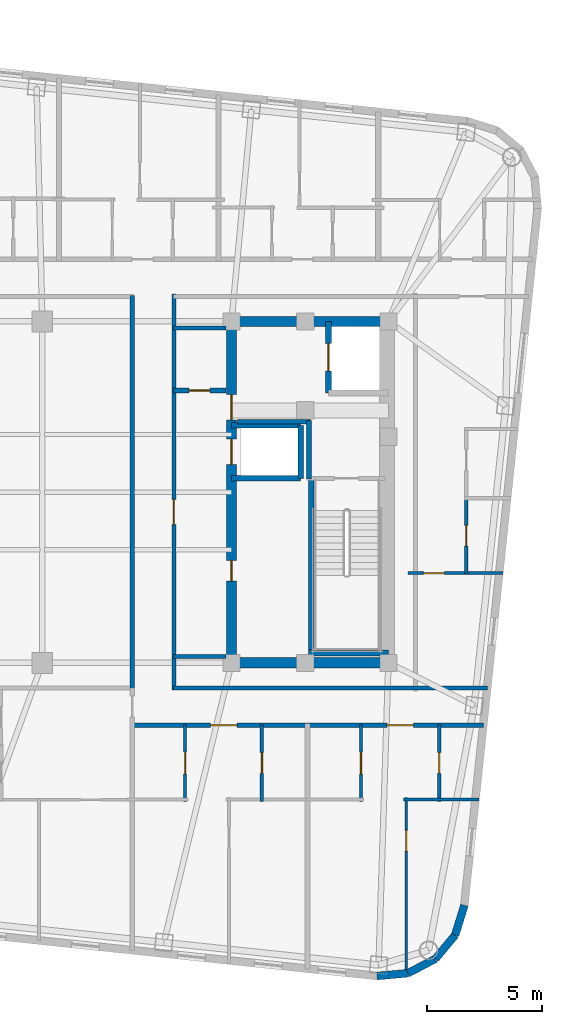
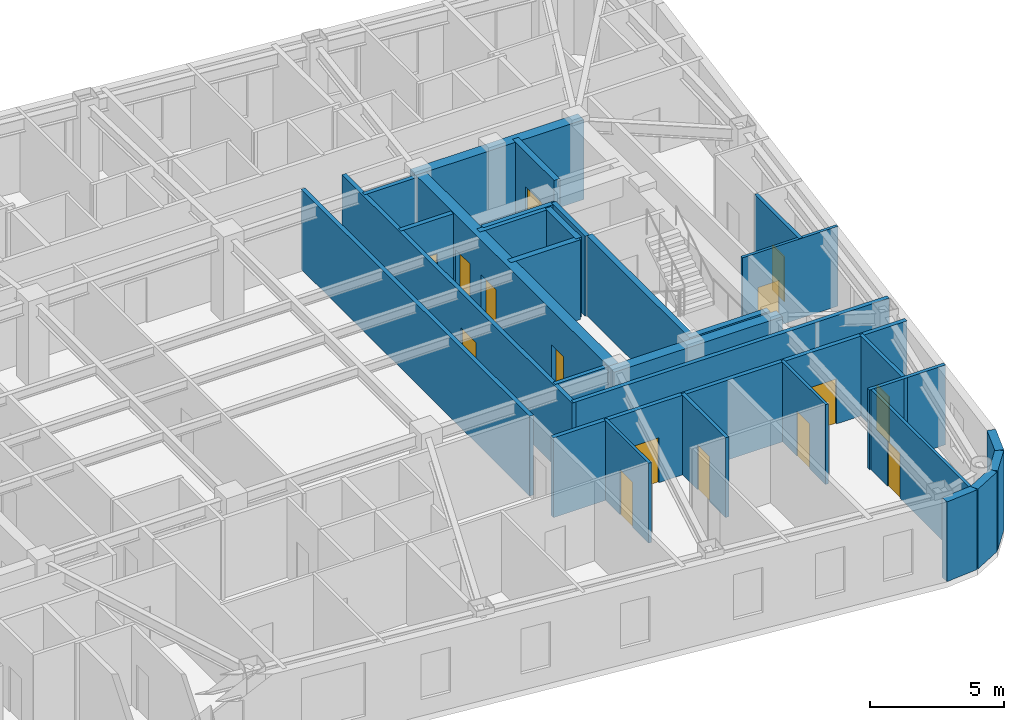
# One storey, part 6 of 11: 30 walls, 15 doors, 15 openings.
"""IFC4 building model written with IfcOpenShell, lengths in metres."""

from ifc_helpers import new_model, si_unit, direction, frame, frame_2d, origin, place, context, subcontext, project, spatial, rectangle, extrude, material, layer, layer_set, type_object, element, fill, save


model = new_model("IFC4")

# Units and contexts
model_context = context("Model", 3, precision=1e-05, world=origin(), true_north=direction((0.0, 1.0)))
body_context = subcontext(model_context, "Body", "Model", "MODEL_VIEW")
ifc_project = project(units=[si_unit("LENGTHUNIT", "METRE"), si_unit("AREAUNIT", "SQUARE_METRE"), si_unit("VOLUMEUNIT", "CUBIC_METRE"), si_unit("PLANEANGLEUNIT", "RADIAN"), si_unit("MASSUNIT", "GRAM", prefix="KILO")], contexts=[model_context])

# Site, building, storey
site_placement = place(None, origin())
site = spatial("IfcSite", under=ifc_project, at=site_placement, CompositionType="ELEMENT")
building_placement = place(site_placement, origin())
building = spatial("IfcBuilding", under=site, at=building_placement, Name="Voryun Gate Residences", CompositionType="ELEMENT")
storey_placement = place(building_placement, frame((0.0, 0.0, 299.0)))
storey = spatial("IfcBuildingStorey", under=building, at=storey_placement, Name="L74", CompositionType="ELEMENT", Elevation=299.0)

# Walls
ifc_material_1 = material(Name="Concrete C50/60", Category="concrete")
ifc_layer_1 = layer(ifc_material_1, 0.449951171875, Name="CW_CORE_450")
ifc_layer_set_1 = layer_set([ifc_layer_1], Name="Concrete C50/60")
wall_type_1 = type_object("IfcWallType", Name="CW_CORE_450", PredefinedType="SHEAR", material=ifc_layer_set_1)
for number, where, z_axis, x_axis, name in (
    (1, (12.175048828125, -7.39990234375, 0.0), (0.0, 0.0, 1.0), (1.0, 0.0, 0.0), "L74 Core shear wall CW-L74-ES"),
    (2, (12.175048828125, 7.39990234375, 0.0), (0.0, 0.0, 1.0), (1.0, 0.0, 0.0), "L74 Core shear wall CW-L74-EN"),
):
    element("IfcWall", number, at=place(storey_placement, frame(where, z_axis=z_axis, x_axis=x_axis)), inside=storey, type_object=wall_type_1, Name=name, PredefinedType="SHEAR", context=body_context, shape_type="SweptSolid", body=[
        extrude(rectangle(XDim=7.25, YDim=0.449951171875, at=frame_2d((3.625, 0.0))), origin(), (0.0, 0.0, 1.0), 3.635009765625),
    ])

# Wall, openings, doors
wall_1_placement = place(storey_placement, frame((12.39990234375, -7.39990234375, 0.0), z_axis=(0.0, 0.0, 1.0), x_axis=(0.0, 1.0, 0.0)))
wall_1 = element("IfcWall", 3, at=wall_1_placement, inside=storey, type_object=wall_type_1, Name="L74 Core shear wall CW-L74-EW", PredefinedType="SHEAR", context=body_context, shape_type="SweptSolid", body=[
    extrude(rectangle(XDim=14.7998046875, YDim=0.449951171875, at=frame_2d((7.39990234375, 0.0))), origin(), (0.0, 0.0, 1.0), 3.635009765625),
])
opening_1_placement = place(wall_1_placement, frame((8.60009765625, 0.0, 0.0)))
opening_1 = element("IfcOpeningElement", 4, at=opening_1_placement, cuts=wall_1, Name="Opening LD2", PredefinedType="OPENING", context=body_context, shape_type="SweptSolid", body=[
    extrude(rectangle(XDim=1.10009765625, YDim=2.050048828125, at=frame_2d((0.550048828125, 1.02490234375))), frame((0.0, 0.235107421875, 0.0), z_axis=(0.0, -1.0, 0.0), x_axis=(1.0, 0.0, 0.0)), (0.0, 0.0, 1.0), 0.469970703125),
])
opening_2_placement = place(wall_1_placement, frame((10.530029296875, 0.0, 0.0)))
opening_2 = element("IfcOpeningElement", 5, at=opening_2_placement, cuts=wall_1, Name="Opening D-FD60-2", PredefinedType="OPENING", context=body_context, shape_type="SweptSolid", body=[
    extrude(rectangle(XDim=1.10009765625, YDim=2.050048828125, at=frame_2d((0.550048828125, 1.02490234375))), frame((0.0, 0.235107421875, 0.0), z_axis=(0.0, -1.0, 0.0), x_axis=(1.0, 0.0, 0.0)), (0.0, 0.0, 1.0), 0.469970703125),
])
opening_3_placement = place(wall_1_placement, frame((3.550048828125, 0.0, 0.0)))
opening_3 = element("IfcOpeningElement", 6, at=opening_3_placement, cuts=wall_1, Name="Opening D-FD60-4", PredefinedType="OPENING", context=body_context, shape_type="SweptSolid", body=[
    extrude(rectangle(XDim=0.89990234375, YDim=2.050048828125, at=frame_2d((0.449951171875, 1.02490234375))), frame((0.0, 0.235107421875, 0.0), z_axis=(0.0, -1.0, 0.0), x_axis=(1.0, 0.0, 0.0)), (0.0, 0.0, 1.0), 0.469970703125),
])
ifc_material_2 = material(Name="Painted steel fire door", Category="steel")
door_type_1 = type_object("IfcDoorType", Name="DR_FD60_FFLOB_1100", OperationType="NOTDEFINED", PredefinedType="DOOR", material=ifc_material_2)
door_1_placement = place(opening_2_placement, origin())
door_1 = element("IfcDoor", 7, at=door_1_placement, inside=storey, type_object=door_type_1, Name="Door DR-L74-CLOB-E", OperationType="SINGLE_SWING_RIGHT", OverallHeight=2.050048828125, OverallWidth=1.10009765625, PredefinedType="DOOR", context=body_context, shape_type="SweptSolid", body=[
    extrude(rectangle(XDim=1.10009765625, YDim=2.050048828125, at=frame_2d((0.550048828125, 1.02490234375))), frame((0.0, 0.02490234375, 0.0), z_axis=(0.0, -1.0, 0.0), x_axis=(1.0, 0.0, 0.0)), (0.0, 0.0, 1.0), 0.050048828125),
])
fill(opening_2, door_1)
ifc_material_3 = material(Name="Painted steel fire door", Category="steel")
door_type_2 = type_object("IfcDoorType", Name="DR_FD60_RISER_900", OperationType="NOTDEFINED", PredefinedType="DOOR", material=ifc_material_3)
door_2_placement = place(opening_3_placement, origin())
door_2 = element("IfcDoor", 8, at=door_2_placement, inside=storey, type_object=door_type_2, Name="Door DR-L74-RECE-HI", OperationType="SINGLE_SWING_RIGHT", OverallHeight=2.050048828125, OverallWidth=0.89990234375, PredefinedType="DOOR", context=body_context, shape_type="SweptSolid", body=[
    extrude(rectangle(XDim=0.89990234375, YDim=2.050048828125, at=frame_2d((0.449951171875, 1.02490234375))), frame((0.0, 0.02490234375, 0.0), z_axis=(0.0, -1.0, 0.0), x_axis=(1.0, 0.0, 0.0)), (0.0, 0.0, 1.0), 0.050048828125),
])
fill(opening_3, door_2)
ifc_material_4 = material(Name="Anodised aluminium", Category="aluminium")
door_type_3 = type_object("IfcDoorType", Name="DR_LD_PASS_1100", OperationType="NOTDEFINED", PredefinedType="DOOR", material=ifc_material_4)
door_3_placement = place(opening_1_placement, origin())
door_3 = element("IfcDoor", 9, at=door_3_placement, inside=storey, type_object=door_type_3, Name="Lift EL-P8 sliding landing door L74", OperationType="SLIDING_TO_LEFT", OverallHeight=2.050048828125, OverallWidth=1.10009765625, PredefinedType="DOOR", context=body_context, shape_type="SweptSolid", body=[
    extrude(rectangle(XDim=1.10009765625, YDim=2.050048828125, at=frame_2d((0.550048828125, 1.02490234375))), frame((0.0, 0.02490234375, 0.0), z_axis=(0.0, -1.0, 0.0), x_axis=(1.0, 0.0, 0.0)), (0.0, 0.0, 1.0), 0.050048828125),
])
fill(opening_1, door_3)

# Walls
ifc_material_5 = material(Name="Gypsum acoustic fireboard")
ifc_layer_2 = layer(ifc_material_5, 0.179931640625, Name="W_CORR_RATED_180")
ifc_layer_set_2 = layer_set([ifc_layer_2], Name="Gypsum acoustic fireboard")
wall_type_2 = type_object("IfcWallType", Name="W_CORR_RATED_180", PredefinedType="PARTITIONING", material=ifc_layer_set_2)
for number, where, z_axis, x_axis, name in (
    (10, (9.8798828125, 7.1201171875, 0.0), (0.0, 0.0, 1.0), (1.0, 0.0, 0.0), "Partition wall WP-L74-PLBN-E"),
    (11, (9.8798828125, -7.1201171875, 0.0), (0.0, 0.0, 1.0), (1.0, 0.0, 0.0), "Partition wall WP-L74-PLBS-E"),
):
    element("IfcWall", number, at=place(storey_placement, frame(where, z_axis=z_axis, x_axis=x_axis)), inside=storey, type_object=wall_type_2, Name=name, PredefinedType="PARTITIONING", context=body_context, shape_type="SweptSolid", body=[
        extrude(rectangle(XDim=2.27001953125, YDim=0.179931640625, at=frame_2d((1.135009765625, 0.0))), origin(), (0.0, 0.0, 1.0), 3.635009765625),
    ])

# Wall, opening, door
wall_2_placement = place(storey_placement, frame((9.89990234375, -8.580078125, 0.0), z_axis=(0.0, 0.0, 1.0), x_axis=(0.0, 1.0, 0.0)))
wall_2 = element("IfcWall", 12, at=wall_2_placement, inside=storey, type_object=wall_type_2, Name="Partition wall WP-L74-PLBE-FULL", PredefinedType="PARTITIONING", context=body_context, shape_type="SweptSolid", body=[
    extrude(rectangle(XDim=17.16015625, YDim=0.179931640625, at=frame_2d((8.580078125, 0.0))), origin(), (0.0, 0.0, 1.0), 3.635009765625),
])
opening_4_placement = place(wall_2_placement, frame((7.172119140625, 0.0, 0.0)))
opening_4 = element("IfcOpeningElement", 13, at=opening_4_placement, cuts=wall_2, Name="Opening D-FD60-2", PredefinedType="OPENING", context=body_context, shape_type="SweptSolid", body=[
    extrude(rectangle(XDim=1.10009765625, YDim=2.050048828125, at=frame_2d((0.550048828125, 1.02490234375))), frame((0.0, 0.099853515625, 0.0), z_axis=(0.0, -1.0, 0.0), x_axis=(1.0, 0.0, 0.0)), (0.0, 0.0, 1.0), 0.199951171875),
])
door_4_placement = place(opening_4_placement, origin())
door_4 = element("IfcDoor", 14, at=door_4_placement, inside=storey, type_object=door_type_1, Name="Door DR-L74-PLBE-COR", OperationType="SINGLE_SWING_RIGHT", OverallHeight=2.050048828125, OverallWidth=1.10009765625, PredefinedType="DOOR", context=body_context, shape_type="SweptSolid", body=[
    extrude(rectangle(XDim=1.10009765625, YDim=2.050048828125, at=frame_2d((0.550048828125, 1.02490234375))), frame((0.0, 0.02490234375, 0.0), z_axis=(0.0, -1.0, 0.0), x_axis=(1.0, 0.0, 0.0)), (0.0, 0.0, 1.0), 0.050048828125),
])
fill(opening_4, door_4)

# Walls
wall_3_placement = place(storey_placement, frame((9.8798828125, -8.489990234375, 0.0), z_axis=(0.0, 0.0, 1.0), x_axis=(1.0, 0.0, 0.0)))
element("IfcWall", 15, at=wall_3_placement, inside=storey, type_object=wall_type_2, Name="Partition wall WP-L74-CWING-ES", PredefinedType="PARTITIONING", context=body_context, shape_type="SweptSolid", body=[
    extrude(rectangle(XDim=13.605712890625, YDim=0.179931640625, at=frame_2d((6.802734375, 0.0))), origin(), (0.0, 0.0, 1.0), 3.635009765625),
])
wall_4_placement = place(storey_placement, frame((8.10009765625, -8.530029296875, 0.0), z_axis=(0.0, 0.0, 1.0), x_axis=(0.0, 1.0, 0.0)))
element("IfcWall", 16, at=wall_4_placement, inside=storey, type_object=wall_type_2, Name="Partition wall WP-L74-Z3E", PredefinedType="PARTITIONING", context=body_context, shape_type="SweptSolid", body=[
    extrude(rectangle(XDim=17.06005859375, YDim=0.179931640625, at=frame_2d((8.530029296875, 0.0))), origin(), (0.0, 0.0, 1.0), 3.635009765625),
])

# Wall, openings, doors
wall_5_placement = place(storey_placement, frame((8.080078125, -10.10009765625, 0.0), z_axis=(0.0, 0.0, 1.0), x_axis=(1.0, 0.0, 0.0)))
wall_5 = element("IfcWall", 17, at=wall_5_placement, inside=storey, type_object=wall_type_2, Name="Partition wall WP-L74-SCORR-E", PredefinedType="PARTITIONING", context=body_context, shape_type="SweptSolid", body=[
    extrude(rectangle(XDim=15.236083984375, YDim=0.179931640625, at=frame_2d((7.6181640625, 0.0))), origin(), (0.0, 0.0, 1.0), 3.635009765625),
])
opening_5_placement = place(wall_5_placement, frame((3.400146484375, 0.0, 0.0)))
opening_5 = element("IfcOpeningElement", 18, at=opening_5_placement, cuts=wall_5, Name="Opening D-UNIT-1", PredefinedType="OPENING", context=body_context, shape_type="SweptSolid", body=[
    extrude(rectangle(XDim=1.14990234375, YDim=2.050048828125, at=frame_2d((0.574951171875, 1.02490234375))), frame((0.0, 0.099853515625, 0.0), z_axis=(0.0, -1.0, 0.0), x_axis=(1.0, 0.0, 0.0)), (0.0, 0.0, 1.0), 0.199951171875),
])
opening_6_placement = place(wall_5_placement, frame((11.05029296875, 0.0, 0.0)))
opening_6 = element("IfcOpeningElement", 19, at=opening_6_placement, cuts=wall_5, Name="Opening D-UNIT-1", PredefinedType="OPENING", context=body_context, shape_type="SweptSolid", body=[
    extrude(rectangle(XDim=1.14990234375, YDim=2.050048828125, at=frame_2d((0.574951171875, 1.02490234375))), frame((0.0, 0.099853515625, 0.0), z_axis=(0.0, -1.0, 0.0), x_axis=(1.0, 0.0, 0.0)), (0.0, 0.0, 1.0), 0.199951171875),
])
ifc_material_6 = material(Name="Armoured timber-clad fire door", Category="wood")
door_type_4 = type_object("IfcDoorType", Name="DR_UNIT_ENTRY_1150", OperationType="NOTDEFINED", PredefinedType="DOOR", material=ifc_material_6)
door_5_placement = place(opening_5_placement, origin())
door_5 = element("IfcDoor", 20, at=door_5_placement, inside=storey, type_object=door_type_4, Name="Door DR-L74-SENT-6", OperationType="SINGLE_SWING_LEFT", OverallHeight=2.050048828125, OverallWidth=1.14990234375, PredefinedType="DOOR", context=body_context, shape_type="SweptSolid", body=[
    extrude(rectangle(XDim=1.14990234375, YDim=2.050048828125, at=frame_2d((0.574951171875, 1.02490234375))), frame((0.0, 0.02490234375, 0.0), z_axis=(0.0, -1.0, 0.0), x_axis=(1.0, 0.0, 0.0)), (0.0, 0.0, 1.0), 0.050048828125),
])
fill(opening_5, door_5)
door_6_placement = place(opening_6_placement, origin())
door_6 = element("IfcDoor", 21, at=door_6_placement, inside=storey, type_object=door_type_4, Name="Door DR-L74-SENT-7", OperationType="SINGLE_SWING_RIGHT", OverallHeight=2.050048828125, OverallWidth=1.14990234375, PredefinedType="DOOR", context=body_context, shape_type="SweptSolid", body=[
    extrude(rectangle(XDim=1.14990234375, YDim=2.050048828125, at=frame_2d((0.574951171875, 1.02490234375))), frame((0.0, 0.02490234375, 0.0), z_axis=(0.0, -1.0, 0.0), x_axis=(1.0, 0.0, 0.0)), (0.0, 0.0, 1.0), 0.050048828125),
])
fill(opening_6, door_6)

# Walls
ifc_material_7 = material(Name="Charcoal terracotta masonry", Category="masonry")
ifc_layer_3 = layer(ifc_material_7, 0.340087890625, Name="W_EXT_TERRACOTTA_340")
ifc_layer_set_3 = layer_set([ifc_layer_3], Name="Charcoal terracotta masonry")
wall_type_3 = type_object("IfcWallType", Name="W_EXT_TERRACOTTA_340", PredefinedType="ELEMENTEDWALL", material=ifc_layer_set_3)
wall_6_placement = place(storey_placement, frame((22.495849609375, -17.904541015625, 0.0), z_axis=(0.0, 0.0, 1.0), x_axis=(-0.296416228123, -0.955058856671, 0.0)))
element("IfcWall", 22, at=wall_6_placement, inside=storey, type_object=wall_type_3, Name="Exterior wall WEXT-L74-17", PredefinedType="ELEMENTEDWALL", context=body_context, shape_type="SweptSolid", body=[
    extrude(rectangle(XDim=1.35400390625, YDim=0.340087890625, at=frame_2d((0.677001953125, 0.0))), origin(), (0.0, 0.0, 1.0), 3.635009765625),
])
wall_7_placement = place(storey_placement, frame((22.094482421875, -19.19775390625, 0.0), z_axis=(0.0, 0.0, 1.0), x_axis=(-0.639501603217, -0.768789762863, 0.0)))
element("IfcWall", 23, at=wall_7_placement, inside=storey, type_object=wall_type_3, Name="Exterior wall WEXT-L74-18", PredefinedType="ELEMENTEDWALL", context=body_context, shape_type="SweptSolid", body=[
    extrude(rectangle(XDim=1.3369140625, YDim=0.340087890625, at=frame_2d((0.66845703125, 0.0))), origin(), (0.0, 0.0, 1.0), 3.635009765625),
])
wall_8_placement = place(storey_placement, frame((21.239501953125, -20.2255859375, 0.0), z_axis=(0.0, 0.0, 1.0), x_axis=(-0.884922182678, -0.465738908193, 0.0)))
element("IfcWall", 24, at=wall_8_placement, inside=storey, type_object=wall_type_3, Name="Exterior wall WEXT-L74-19", PredefinedType="ELEMENTEDWALL", context=body_context, shape_type="SweptSolid", body=[
    extrude(rectangle(XDim=1.337158203125, YDim=0.340087890625, at=frame_2d((0.66845703125, 0.0))), origin(), (0.0, 0.0, 1.0), 3.635009765625),
])
wall_9_placement = place(storey_placement, frame((20.05615234375, -20.848388671875, 0.0), z_axis=(0.0, 0.0, 1.0), x_axis=(-0.995813013343, -0.091413579172, 0.0)))
element("IfcWall", 25, at=wall_9_placement, inside=storey, type_object=wall_type_3, Name="Exterior wall WEXT-L74-20", PredefinedType="ELEMENTEDWALL", context=body_context, shape_type="SweptSolid", body=[
    extrude(rectangle(XDim=1.35400390625, YDim=0.340087890625, at=frame_2d((0.677001953125, 0.0))), origin(), (0.0, 0.0, 1.0), 3.635009765625),
])
ifc_material_8 = material(Name="Concrete C40/50", Category="concrete")
ifc_layer_4 = layer(ifc_material_8, 0.199951171875, Name="W_FF_LOBBY_200")
ifc_layer_set_4 = layer_set([ifc_layer_4], Name="Concrete C40/50")
wall_type_4 = type_object("IfcWallType", Name="W_FF_LOBBY_200", PredefinedType="PARTITIONING", material=ifc_layer_set_4)
wall_10_placement = place(storey_placement, frame((15.760009765625, 0.580078125, 0.0), z_axis=(0.0, 0.0, 1.0), x_axis=(0.0, 1.0, 0.0)))
element("IfcWall", 26, at=wall_10_placement, inside=storey, type_object=wall_type_4, Name="Partition wall WP-L74-FFP0-E", PredefinedType="PARTITIONING", context=body_context, shape_type="SweptSolid", body=[
    extrude(rectangle(XDim=2.52001953125, YDim=0.199951171875, at=frame_2d((1.260009765625, 0.0))), origin(), (0.0, 0.0, 1.0), 3.635009765625),
])
wall_11_placement = place(storey_placement, frame((12.659912109375, 3.06005859375, 0.0), z_axis=(0.0, 0.0, 1.0), x_axis=(1.0, 0.0, 0.0)))
element("IfcWall", 27, at=wall_11_placement, inside=storey, type_object=wall_type_4, Name="Partition wall WP-L74-FFPS-E", PredefinedType="PARTITIONING", context=body_context, shape_type="SweptSolid", body=[
    extrude(rectangle(XDim=3.16015625, YDim=0.199951171875, at=frame_2d((1.580078125, 0.0))), origin(), (0.0, 0.0, 1.0), 3.635009765625),
])

# Wall, opening, door
wall_12_placement = place(storey_placement, frame((9.8798828125, 4.409912109375, 0.0), z_axis=(0.0, 0.0, 1.0), x_axis=(1.0, 0.0, 0.0)))
wall_12 = element("IfcWall", 28, at=wall_12_placement, inside=storey, type_object=wall_type_4, Name="Partition wall WP-L74-CSFLKS-E", PredefinedType="PARTITIONING", context=body_context, shape_type="SweptSolid", body=[
    extrude(rectangle(XDim=2.27001953125, YDim=0.199951171875, at=frame_2d((1.135009765625, 0.0))), origin(), (0.0, 0.0, 1.0), 3.635009765625),
])
opening_7_placement = place(wall_12_placement, frame((0.68505859375, 0.0, 0.0)))
opening_7 = element("IfcOpeningElement", 29, at=opening_7_placement, cuts=wall_12, Name="Opening D-FD60-4", PredefinedType="OPENING", context=body_context, shape_type="SweptSolid", body=[
    extrude(rectangle(XDim=0.89990234375, YDim=2.050048828125, at=frame_2d((0.449951171875, 1.02490234375))), frame((0.0, 0.110107421875, 0.0), z_axis=(0.0, -1.0, 0.0), x_axis=(1.0, 0.0, 0.0)), (0.0, 0.0, 1.0), 0.219970703125),
])
door_7_placement = place(opening_7_placement, origin())
door_7 = element("IfcDoor", 30, at=door_7_placement, inside=storey, type_object=door_type_2, Name="Door DR-L74-CSFLK-E", OperationType="SINGLE_SWING_RIGHT", OverallHeight=2.050048828125, OverallWidth=0.89990234375, PredefinedType="DOOR", context=body_context, shape_type="SweptSolid", body=[
    extrude(rectangle(XDim=0.89990234375, YDim=2.050048828125, at=frame_2d((0.449951171875, 1.02490234375))), frame((0.0, 0.02490234375, 0.0), z_axis=(0.0, -1.0, 0.0), x_axis=(1.0, 0.0, 0.0)), (0.0, 0.0, 1.0), 0.050048828125),
])
fill(opening_7, door_7)

# Walls
ifc_material_9 = material(Name="Concrete C50/60", Category="concrete")
ifc_layer_5 = layer(ifc_material_9, 0.25, Name="W_SHAFT_RC250")
ifc_layer_set_5 = layer_set([ifc_layer_5], Name="Concrete C50/60")
wall_type_5 = type_object("IfcWallType", Name="W_SHAFT_RC250", PredefinedType="SOLIDWALL", material=ifc_layer_set_5)
wall_13_placement = place(storey_placement, frame((15.860107421875, -7.0849609375, 0.0), z_axis=(0.0, 0.0, 1.0), x_axis=(0.0, 1.0, 0.0)))
element("IfcWall", 31, at=wall_13_placement, inside=storey, type_object=wall_type_5, Name="L74 Stair shaft structural wall E-STL", PredefinedType="SOLIDWALL", context=body_context, shape_type="SweptSolid", body=[
    extrude(rectangle(XDim=7.68505859375, YDim=0.25, at=frame_2d((3.842529296875, 0.0))), origin(), (0.0, 0.0, 1.0), 3.635009765625),
])
wall_14_placement = place(storey_placement, frame((15.739990234375, -6.965087890625, 0.0), z_axis=(0.0, 0.0, 1.0), x_axis=(1.0, 0.0, 0.0)))
element("IfcWall", 32, at=wall_14_placement, inside=storey, type_object=wall_type_5, Name="L74 Stair shaft structural wall E-STS", PredefinedType="SOLIDWALL", context=body_context, shape_type="SweptSolid", body=[
    extrude(rectangle(XDim=3.4599609375, YDim=0.25, at=frame_2d((1.72998046875, 0.0))), origin(), (0.0, 0.0, 1.0), 3.635009765625),
])

# Wall, opening, door
wall_15_placement = place(storey_placement, frame((16.60009765625, 7.39990234375, 0.0), z_axis=(0.0, 0.0, 1.0), x_axis=(0.0, -1.0, 0.0)))
wall_15 = element("IfcWall", 33, at=wall_15_placement, inside=storey, type_object=wall_type_5, Name="Lift shaft wall WSH-L74-EL-FF-E1-W", PredefinedType="SOLIDWALL", context=body_context, shape_type="SweptSolid", body=[
    extrude(rectangle(XDim=3.099853515625, YDim=0.25, at=frame_2d((1.5498046875, 0.0))), origin(), (0.0, 0.0, 1.0), 3.635009765625),
])
opening_8_placement = place(wall_15_placement, frame((0.949951171875, 0.0, 0.0)))
opening_8 = element("IfcOpeningElement", 34, at=opening_8_placement, cuts=wall_15, Name="Opening LD1", PredefinedType="OPENING", context=body_context, shape_type="SweptSolid", body=[
    extrude(rectangle(XDim=1.199951171875, YDim=2.050048828125, at=frame_2d((0.60009765625, 1.02490234375))), frame((0.0, 0.135009765625, 0.0), z_axis=(0.0, -1.0, 0.0), x_axis=(1.0, 0.0, 0.0)), (0.0, 0.0, 1.0), 0.27001953125),
])
ifc_material_10 = material(Name="Anodised aluminium", Category="aluminium")
door_type_5 = type_object("IfcDoorType", Name="DR_LD_FF_1200", OperationType="NOTDEFINED", PredefinedType="DOOR", material=ifc_material_10)
door_8_placement = place(opening_8_placement, origin())
door_8 = element("IfcDoor", 35, at=door_8_placement, inside=storey, type_object=door_type_5, Name="Lift EL-FF-E1 sliding landing door L74", OperationType="SLIDING_TO_LEFT", OverallHeight=2.050048828125, OverallWidth=1.199951171875, PredefinedType="DOOR", context=body_context, shape_type="SweptSolid", body=[
    extrude(rectangle(XDim=1.199951171875, YDim=2.050048828125, at=frame_2d((0.60009765625, 1.02490234375))), frame((0.0, 0.02490234375, 0.0), z_axis=(0.0, -1.0, 0.0), x_axis=(1.0, 0.0, 0.0)), (0.0, 0.0, 1.0), 0.050048828125),
])
fill(opening_8, door_8)

# Walls
wall_16_placement = place(storey_placement, frame((12.39990234375, 0.60009765625, 0.0), z_axis=(0.0, 0.0, 1.0), x_axis=(1.0, 0.0, 0.0)))
element("IfcWall", 36, at=wall_16_placement, inside=storey, type_object=wall_type_5, Name="Lift shaft wall WSH-L74-EL-P8-S", PredefinedType="SOLIDWALL", context=body_context, shape_type="SweptSolid", body=[
    extrude(rectangle(XDim=3.0, YDim=0.25, at=frame_2d((1.5, 0.0))), origin(), (0.0, 0.0, 1.0), 3.635009765625),
])
wall_17_placement = place(storey_placement, frame((15.39990234375, 0.60009765625, 0.0), z_axis=(0.0, 0.0, 1.0), x_axis=(0.0, 1.0, 0.0)))
element("IfcWall", 37, at=wall_17_placement, inside=storey, type_object=wall_type_5, Name="Lift shaft wall WSH-L74-EL-P8-E", PredefinedType="SOLIDWALL", context=body_context, shape_type="SweptSolid", body=[
    extrude(rectangle(XDim=2.2998046875, YDim=0.25, at=frame_2d((1.14990234375, 0.0))), origin(), (0.0, 0.0, 1.0), 3.635009765625),
])
wall_18_placement = place(storey_placement, frame((15.39990234375, 2.89990234375, 0.0), z_axis=(0.0, 0.0, 1.0), x_axis=(-1.0, 0.0, 0.0)))
element("IfcWall", 38, at=wall_18_placement, inside=storey, type_object=wall_type_5, Name="Lift shaft wall WSH-L74-EL-P8-N", PredefinedType="SOLIDWALL", context=body_context, shape_type="SweptSolid", body=[
    extrude(rectangle(XDim=3.0, YDim=0.25, at=frame_2d((1.5, 0.0))), origin(), (0.0, 0.0, 1.0), 3.635009765625),
])

# Wall, opening, door
ifc_material_11 = material(Name="Gypsum acoustic partition")
ifc_layer_6 = layer(ifc_material_11, 0.125, Name="W_UNIT_PART_125")
ifc_layer_set_6 = layer_set([ifc_layer_6], Name="Gypsum acoustic partition")
wall_type_6 = type_object("IfcWallType", Name="W_UNIT_PART_125", PredefinedType="PARTITIONING", material=ifc_layer_set_6)
wall_19_placement = place(storey_placement, frame((10.389892578125, -13.39990234375, 0.0), z_axis=(0.0, 0.0, 1.0), x_axis=(0.0, 1.0, 0.0)))
wall_19 = element("IfcWall", 39, at=wall_19_placement, inside=storey, type_object=wall_type_6, Name="Partition wall WP-L74-S6-IVK", PredefinedType="PARTITIONING", context=body_context, shape_type="SweptSolid", body=[
    extrude(rectangle(XDim=3.31982421875, YDim=0.125, at=frame_2d((1.659912109375, 0.0))), origin(), (0.0, 0.0, 1.0), 3.635009765625),
])
opening_9_placement = place(wall_19_placement, frame((1.18505859375, 0.0, 0.0)))
opening_9 = element("IfcOpeningElement", 40, at=opening_9_placement, cuts=wall_19, Name="Opening D-INT-1", PredefinedType="OPENING", context=body_context, shape_type="SweptSolid", body=[
    extrude(rectangle(XDim=0.949951171875, YDim=2.050048828125, at=frame_2d((0.47509765625, 1.02490234375))), frame((0.0, 0.072509765625, 0.0), z_axis=(0.0, -1.0, 0.0), x_axis=(1.0, 0.0, 0.0)), (0.0, 0.0, 1.0), 0.14501953125),
])
ifc_material_12 = material(Name="Architectural oak veneer")
door_type_6 = type_object("IfcDoorType", Name="DR_INT_ROOM_950", OperationType="NOTDEFINED", PredefinedType="DOOR", material=ifc_material_12)
door_9_placement = place(opening_9_placement, origin())
door_9 = element("IfcDoor", 41, at=door_9_placement, inside=storey, type_object=door_type_6, Name="Door DR-L74-S6-DK", OperationType="SINGLE_SWING_LEFT", OverallHeight=2.050048828125, OverallWidth=0.949951171875, PredefinedType="DOOR", context=body_context, shape_type="SweptSolid", body=[
    extrude(rectangle(XDim=0.949951171875, YDim=2.050048828125, at=frame_2d((0.47509765625, 1.02490234375))), frame((0.0, 0.02490234375, 0.0), z_axis=(0.0, -1.0, 0.0), x_axis=(1.0, 0.0, 0.0)), (0.0, 0.0, 1.0), 0.050048828125),
])
fill(opening_9, door_9)

wall_20_placement = place(storey_placement, frame((19.970947265625, -21.006591796875, 0.0), z_axis=(0.0, 0.0, 1.0), x_axis=(0.0, 1.0, 0.0)))
wall_20 = element("IfcWall", 42, at=wall_20_placement, inside=storey, type_object=wall_type_6, Name="Partition wall WP-L74-S7-OVR", PredefinedType="PARTITIONING", context=body_context, shape_type="SweptSolid", body=[
    extrude(rectangle(XDim=7.7666015625, YDim=0.125, at=frame_2d((3.88330078125, 0.0))), origin(), (0.0, 0.0, 1.0), 3.635009765625),
])
opening_10_placement = place(wall_20_placement, frame((5.45263671875, 0.0, 0.0)))
opening_10 = element("IfcOpeningElement", 43, at=opening_10_placement, cuts=wall_20, Name="Opening D-INT-2", PredefinedType="OPENING", context=body_context, shape_type="SweptSolid", body=[
    extrude(rectangle(XDim=0.89990234375, YDim=2.050048828125, at=frame_2d((0.449951171875, 1.02490234375))), frame((0.0, 0.072509765625, 0.0), z_axis=(0.0, -1.0, 0.0), x_axis=(1.0, 0.0, 0.0)), (0.0, 0.0, 1.0), 0.14501953125),
])
ifc_material_13 = material(Name="Architectural oak veneer")
door_type_7 = type_object("IfcDoorType", Name="DR_INT_BATH_900", OperationType="NOTDEFINED", PredefinedType="DOOR", material=ifc_material_13)
door_10_placement = place(opening_10_placement, origin())
door_10 = element("IfcDoor", 44, at=door_10_placement, inside=storey, type_object=door_type_7, Name="Door DR-L74-S7-DMB", OperationType="SINGLE_SWING_RIGHT", OverallHeight=2.050048828125, OverallWidth=0.89990234375, PredefinedType="DOOR", context=body_context, shape_type="SweptSolid", body=[
    extrude(rectangle(XDim=0.89990234375, YDim=2.050048828125, at=frame_2d((0.449951171875, 1.02490234375))), frame((0.0, 0.02490234375, 0.0), z_axis=(0.0, -1.0, 0.0), x_axis=(1.0, 0.0, 0.0)), (0.0, 0.0, 1.0), 0.050048828125),
])
fill(opening_10, door_10)

wall_21_placement = place(storey_placement, frame((18.010009765625, -13.39990234375, 0.0), z_axis=(0.0, 0.0, 1.0), x_axis=(0.0, 1.0, 0.0)))
wall_21 = element("IfcWall", 45, at=wall_21_placement, inside=storey, type_object=wall_type_6, Name="Partition wall WP-L74-S7-IVK", PredefinedType="PARTITIONING", context=body_context, shape_type="SweptSolid", body=[
    extrude(rectangle(XDim=3.31982421875, YDim=0.125, at=frame_2d((1.659912109375, 0.0))), origin(), (0.0, 0.0, 1.0), 3.635009765625),
])
opening_11_placement = place(wall_21_placement, frame((1.18505859375, 0.0, 0.0)))
opening_11 = element("IfcOpeningElement", 46, at=opening_11_placement, cuts=wall_21, Name="Opening D-INT-1", PredefinedType="OPENING", context=body_context, shape_type="SweptSolid", body=[
    extrude(rectangle(XDim=0.949951171875, YDim=2.050048828125, at=frame_2d((0.47509765625, 1.02490234375))), frame((0.0, 0.072509765625, 0.0), z_axis=(0.0, -1.0, 0.0), x_axis=(1.0, 0.0, 0.0)), (0.0, 0.0, 1.0), 0.14501953125),
])
door_11_placement = place(opening_11_placement, origin())
door_11 = element("IfcDoor", 47, at=door_11_placement, inside=storey, type_object=door_type_6, Name="Door DR-L74-S7-DK", OperationType="SINGLE_SWING_LEFT", OverallHeight=2.050048828125, OverallWidth=0.949951171875, PredefinedType="DOOR", context=body_context, shape_type="SweptSolid", body=[
    extrude(rectangle(XDim=0.949951171875, YDim=2.050048828125, at=frame_2d((0.47509765625, 1.02490234375))), frame((0.0, 0.02490234375, 0.0), z_axis=(0.0, -1.0, 0.0), x_axis=(1.0, 0.0, 0.0)), (0.0, 0.0, 1.0), 0.050048828125),
])
fill(opening_11, door_11)

wall_22_placement = place(storey_placement, frame((20.050048828125, -3.510009765625, 0.0), z_axis=(0.0, 0.0, 1.0), x_axis=(1.0, 0.0, 0.0)))
wall_22 = element("IfcWall", 48, at=wall_22_placement, inside=storey, type_object=wall_type_6, Name="Partition wall WP-L74-E1-HZ3", PredefinedType="PARTITIONING", context=body_context, shape_type="SweptSolid", body=[
    extrude(rectangle(XDim=4.109619140625, YDim=0.125, at=frame_2d((2.0546875, 0.0))), origin(), (0.0, 0.0, 1.0), 3.635009765625),
])
opening_12_placement = place(wall_22_placement, frame((0.674072265625, 0.0, 0.0)))
opening_12 = element("IfcOpeningElement", 49, at=opening_12_placement, cuts=wall_22, Name="Opening D-INT-2", PredefinedType="OPENING", context=body_context, shape_type="SweptSolid", body=[
    extrude(rectangle(XDim=0.89990234375, YDim=2.050048828125, at=frame_2d((0.449951171875, 1.02490234375))), frame((0.0, 0.072509765625, 0.0), z_axis=(0.0, -1.0, 0.0), x_axis=(1.0, 0.0, 0.0)), (0.0, 0.0, 1.0), 0.14501953125),
])
door_12_placement = place(opening_12_placement, origin())
door_12 = element("IfcDoor", 50, at=door_12_placement, inside=storey, type_object=door_type_7, Name="Door DR-L74-E1-DMB", OperationType="SINGLE_SWING_LEFT", OverallHeight=2.050048828125, OverallWidth=0.89990234375, PredefinedType="DOOR", context=body_context, shape_type="SweptSolid", body=[
    extrude(rectangle(XDim=0.89990234375, YDim=2.050048828125, at=frame_2d((0.449951171875, 1.02490234375))), frame((0.0, 0.02490234375, 0.0), z_axis=(0.0, -1.0, 0.0), x_axis=(1.0, 0.0, 0.0)), (0.0, 0.0, 1.0), 0.050048828125),
])
fill(opening_12, door_12)

ifc_material_14 = material(Name="Gypsum moisture-resistant partition")
ifc_layer_7 = layer(ifc_material_14, 0.14990234375, Name="W_WET_PLUMB_150")
ifc_layer_set_7 = layer_set([ifc_layer_7], Name="Gypsum moisture-resistant partition")
wall_type_7 = type_object("IfcWallType", Name="W_WET_PLUMB_150", PredefinedType="PLUMBINGWALL", material=ifc_layer_set_7)
wall_23_placement = place(storey_placement, frame((13.719970703125, -13.39990234375, 0.0), z_axis=(0.0, 0.0, 1.0), x_axis=(0.0, 1.0, 0.0)))
wall_23 = element("IfcWall", 51, at=wall_23_placement, inside=storey, type_object=wall_type_7, Name="Partition wall WP-L74-S6-IVB", PredefinedType="PLUMBINGWALL", context=body_context, shape_type="SweptSolid", body=[
    extrude(rectangle(XDim=3.31982421875, YDim=0.14990234375, at=frame_2d((1.659912109375, 0.0))), origin(), (0.0, 0.0, 1.0), 3.635009765625),
])
opening_13_placement = place(wall_23_placement, frame((1.2099609375, 0.0, 0.0)))
opening_13 = element("IfcOpeningElement", 52, at=opening_13_placement, cuts=wall_23, Name="Opening D-INT-2", PredefinedType="OPENING", context=body_context, shape_type="SweptSolid", body=[
    extrude(rectangle(XDim=0.89990234375, YDim=2.050048828125, at=frame_2d((0.449951171875, 1.02490234375))), frame((0.0, 0.0849609375, 0.0), z_axis=(0.0, -1.0, 0.0), x_axis=(1.0, 0.0, 0.0)), (0.0, 0.0, 1.0), 0.169921875),
])
door_13_placement = place(opening_13_placement, origin())
door_13 = element("IfcDoor", 53, at=door_13_placement, inside=storey, type_object=door_type_7, Name="Door DR-L74-S6-DB", OperationType="SINGLE_SWING_RIGHT", OverallHeight=2.050048828125, OverallWidth=0.89990234375, PredefinedType="DOOR", context=body_context, shape_type="SweptSolid", body=[
    extrude(rectangle(XDim=0.89990234375, YDim=2.050048828125, at=frame_2d((0.449951171875, 1.02490234375))), frame((0.0, 0.02490234375, 0.0), z_axis=(0.0, -1.0, 0.0), x_axis=(1.0, 0.0, 0.0)), (0.0, 0.0, 1.0), 0.050048828125),
])
fill(opening_13, door_13)

# Wall
wall_24_placement = place(storey_placement, frame((19.85107421875, -13.320068359375, 0.0), z_axis=(0.0, 0.0, 1.0), x_axis=(1.0, 0.0, 0.0)))
element("IfcWall", 54, at=wall_24_placement, inside=storey, type_object=wall_type_7, Name="Partition wall WP-L74-S7-HZB", PredefinedType="PLUMBINGWALL", context=body_context, shape_type="SweptSolid", body=[
    extrude(rectangle(XDim=3.277587890625, YDim=0.14990234375, at=frame_2d((1.638671875, 0.0))), origin(), (0.0, 0.0, 1.0), 3.635009765625),
])

# Wall, opening, door
wall_25_placement = place(storey_placement, frame((21.40087890625, -13.39990234375, 0.0), z_axis=(0.0, 0.0, 1.0), x_axis=(0.0, 1.0, 0.0)))
wall_25 = element("IfcWall", 55, at=wall_25_placement, inside=storey, type_object=wall_type_7, Name="Partition wall WP-L74-S7-IVB", PredefinedType="PLUMBINGWALL", context=body_context, shape_type="SweptSolid", body=[
    extrude(rectangle(XDim=3.31982421875, YDim=0.14990234375, at=frame_2d((1.659912109375, 0.0))), origin(), (0.0, 0.0, 1.0), 3.635009765625),
])
opening_14_placement = place(wall_25_placement, frame((1.2099609375, 0.0, 0.0)))
opening_14 = element("IfcOpeningElement", 56, at=opening_14_placement, cuts=wall_25, Name="Opening D-INT-2", PredefinedType="OPENING", context=body_context, shape_type="SweptSolid", body=[
    extrude(rectangle(XDim=0.89990234375, YDim=2.050048828125, at=frame_2d((0.449951171875, 1.02490234375))), frame((0.0, 0.0849609375, 0.0), z_axis=(0.0, -1.0, 0.0), x_axis=(1.0, 0.0, 0.0)), (0.0, 0.0, 1.0), 0.169921875),
])
door_14_placement = place(opening_14_placement, origin())
door_14 = element("IfcDoor", 57, at=door_14_placement, inside=storey, type_object=door_type_7, Name="Door DR-L74-S7-DB", OperationType="SINGLE_SWING_RIGHT", OverallHeight=2.050048828125, OverallWidth=0.89990234375, PredefinedType="DOOR", context=body_context, shape_type="SweptSolid", body=[
    extrude(rectangle(XDim=0.89990234375, YDim=2.050048828125, at=frame_2d((0.449951171875, 1.02490234375))), frame((0.0, 0.02490234375, 0.0), z_axis=(0.0, -1.0, 0.0), x_axis=(1.0, 0.0, 0.0)), (0.0, 0.0, 1.0), 0.050048828125),
])
fill(opening_14, door_14)

wall_26_placement = place(storey_placement, frame((22.577880859375, -3.550048828125, 0.0), z_axis=(0.0, 0.0, 1.0), x_axis=(0.0, 1.0, 0.0)))
wall_26 = element("IfcWall", 58, at=wall_26_placement, inside=storey, type_object=wall_type_7, Name="Partition wall WP-L74-E1-VKB1", PredefinedType="PLUMBINGWALL", context=body_context, shape_type="SweptSolid", body=[
    extrude(rectangle(XDim=3.330078125, YDim=0.14990234375, at=frame_2d((1.6650390625, 0.0))), origin(), (0.0, 0.0, 1.0), 3.635009765625),
])
opening_15_placement = place(wall_26_placement, frame((1.215087890625, 0.0, 0.0)))
opening_15 = element("IfcOpeningElement", 59, at=opening_15_placement, cuts=wall_26, Name="Opening D-INT-2", PredefinedType="OPENING", context=body_context, shape_type="SweptSolid", body=[
    extrude(rectangle(XDim=0.89990234375, YDim=2.050048828125, at=frame_2d((0.449951171875, 1.02490234375))), frame((0.0, 0.0849609375, 0.0), z_axis=(0.0, -1.0, 0.0), x_axis=(1.0, 0.0, 0.0)), (0.0, 0.0, 1.0), 0.169921875),
])
door_15_placement = place(opening_15_placement, origin())
door_15 = element("IfcDoor", 60, at=door_15_placement, inside=storey, type_object=door_type_7, Name="Door DR-L74-E1-DB", OperationType="SINGLE_SWING_LEFT", OverallHeight=2.050048828125, OverallWidth=0.89990234375, PredefinedType="DOOR", context=body_context, shape_type="SweptSolid", body=[
    extrude(rectangle(XDim=0.89990234375, YDim=2.050048828125, at=frame_2d((0.449951171875, 1.02490234375))), frame((0.0, 0.02490234375, 0.0), z_axis=(0.0, -1.0, 0.0), x_axis=(1.0, 0.0, 0.0)), (0.0, 0.0, 1.0), 0.050048828125),
])
fill(opening_15, door_15)

save(model, "model.ifc")
